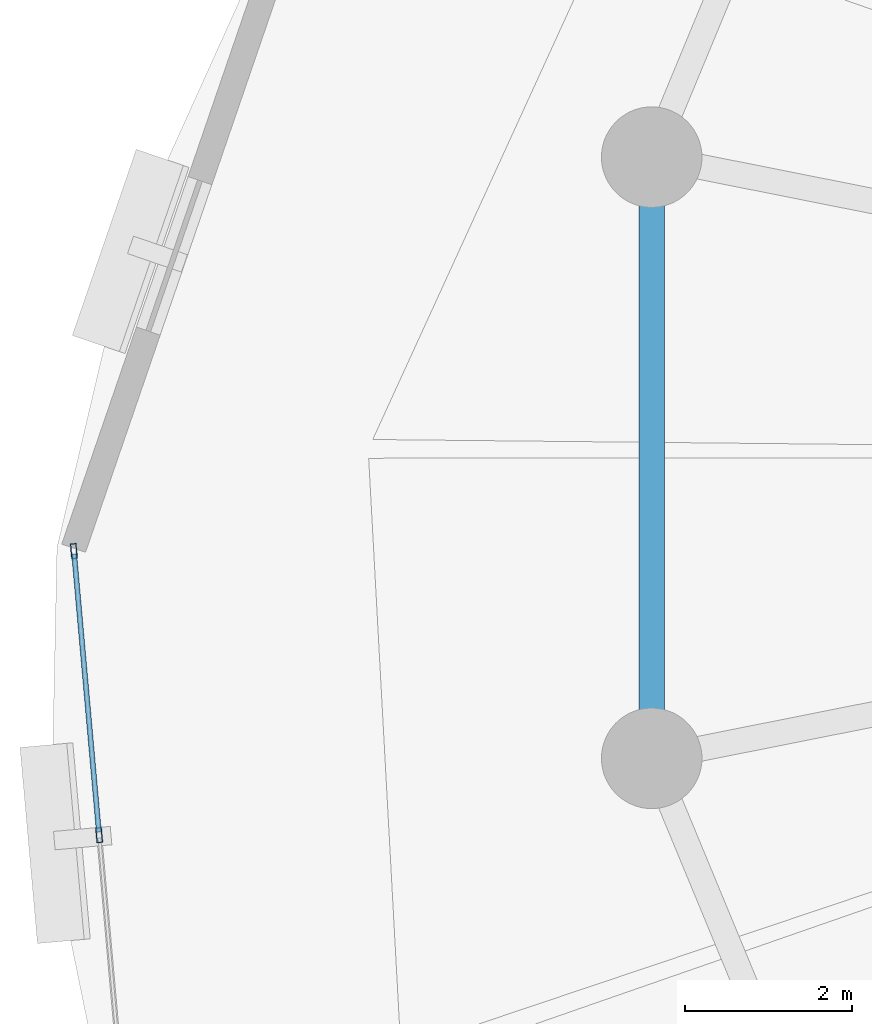
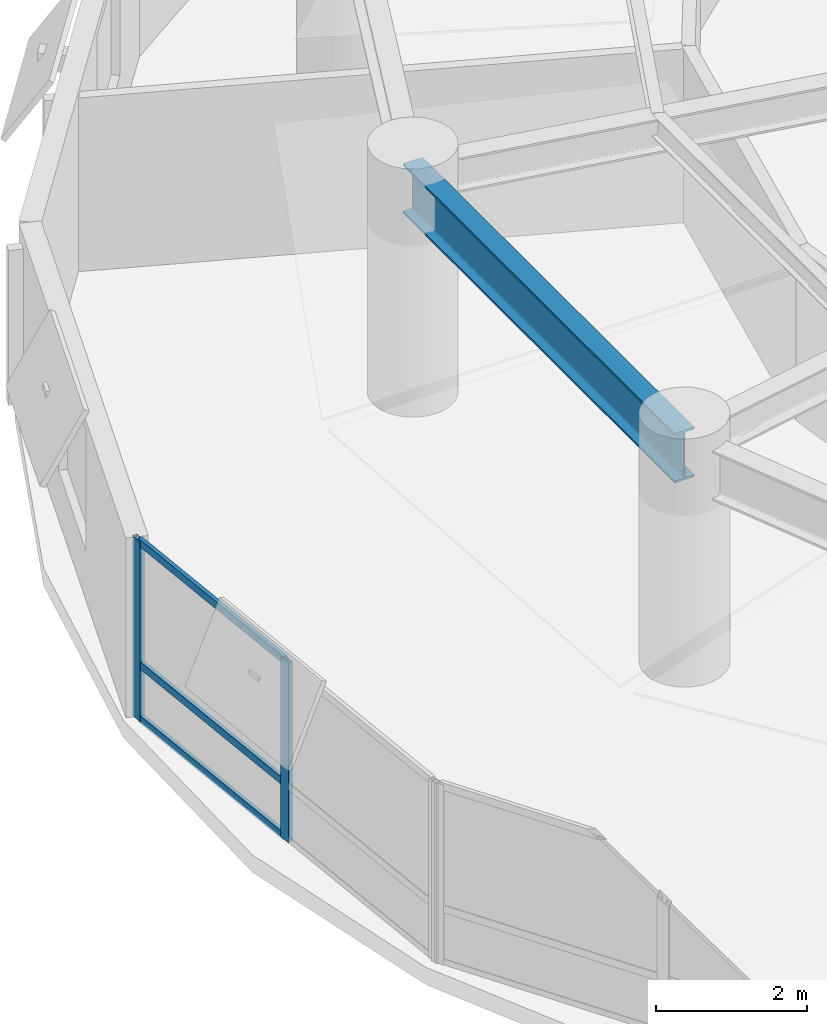
# One storey, part 4 of 15: 5 members, 1 beam, 1 element without a shape of its own.
"""IFC4 building model written with IfcOpenShell, lengths in metres."""

import ifcopenshell
import ifcopenshell.guid

model = None  # the IFC model being written
_history = None  # IfcOwnerHistory: only IFC2X3 demands one
_inside = {}  # id of a spatial element -> (the spatial element, [elements in it])
_under = {}  # id of a project, library or spatial element -> (it, [spatial elements below it])
_declared = {}  # id of a project -> (the project, [libraries it declares])
_typed = {}  # id of a type object -> (the type object, [elements of that type])
_made_of = {}  # id of a material, layer set ... -> (it, [elements and type objects made of it])


def new_model(schema):
    """Start an empty IFC model of exactly this schema.

    Asked for "IFC4X3", IfcOpenShell would pick the latest addendum, in which some entities
    have other attributes; the version numbers below select the first issue.
    IFC2X3 requires an IfcOwnerHistory on every rooted entity: one is made here for all.
    """
    global model, _history
    if schema == "IFC4X3":
        model = ifcopenshell.file(schema_version=(4, 3, 0, 0))
    else:
        model = ifcopenshell.file(schema=schema)
    _inside.clear()
    _under.clear()
    _declared.clear()
    _typed.clear()
    _made_of.clear()
    _history = None
    if model.schema == "IFC2X3":
        org = make("IfcOrganization", Name="unknown")
        user = make(
            "IfcPersonAndOrganization",
            ThePerson=make("IfcPerson", FamilyName="unknown"),
            TheOrganization=org,
        )
        app = make(
            "IfcApplication",
            ApplicationDeveloper=org,
            Version="unknown",
            ApplicationFullName="unknown",
            ApplicationIdentifier="unknown",
        )
        _history = make(
            "IfcOwnerHistory",
            OwningUser=user,
            OwningApplication=app,
            ChangeAction="ADDED",
            CreationDate=0,
        )
    return model


def make(cls, **values):
    """One entity of the class cls with the attributes given. An attribute that is None is left unset."""
    return model.create_entity(
        cls, **{name: value for name, value in values.items() if value is not None}
    )


def rooted(cls, **values):
    """An entity with a GlobalId (a new one), such as an element, a storey or a relation."""
    return make(cls, GlobalId=ifcopenshell.guid.new(), OwnerHistory=_history, **values)


def si_unit(unit_type, name, prefix=None):
    """IfcSIUnit, for example si_unit("LENGTHUNIT", "METRE", prefix="MILLI")."""
    return make("IfcSIUnit", UnitType=unit_type, Prefix=prefix, Name=name)


def assignment(units):
    """IfcUnitAssignment: the units of a project."""
    return None if units is None else make("IfcUnitAssignment", Units=units)


def point(xyz):
    """IfcCartesianPoint."""
    return None if xyz is None else make("IfcCartesianPoint", Coordinates=xyz)


def direction(xyz):
    """IfcDirection."""
    return None if xyz is None else make("IfcDirection", DirectionRatios=xyz)


def frame(location, z_axis=None, x_axis=None):
    """IfcAxis2Placement3D, a coordinate frame: its origin and axes. An axis left out is left unset."""
    return make(
        "IfcAxis2Placement3D",
        Location=point(location),
        Axis=direction(z_axis),
        RefDirection=direction(x_axis),
    )


def frame_2d(location, x_axis=None):
    """IfcAxis2Placement2D, a coordinate frame in the plane: its origin and x axis."""
    return make(
        "IfcAxis2Placement2D", Location=point(location), RefDirection=direction(x_axis)
    )


def origin():
    """The frame at (0, 0, 0) with its axes left unset."""
    return frame((0.0, 0.0, 0.0))


def origin_2d():
    """The frame at (0, 0) in the plane with its x axis left unset."""
    return frame_2d((0.0, 0.0))


def place(relative_to, where):
    """IfcLocalPlacement: puts the frame where relative to a parent placement (None: the world)."""
    return make(
        "IfcLocalPlacement", PlacementRelTo=relative_to, RelativePlacement=where
    )


def context(
    kind, dimensions, precision=None, world=None, true_north=None, identifier=None
):
    """IfcGeometricRepresentationContext, for example the 3D "Model" context."""
    return make(
        "IfcGeometricRepresentationContext",
        ContextIdentifier=identifier,
        ContextType=kind,
        CoordinateSpaceDimension=dimensions,
        Precision=precision,
        WorldCoordinateSystem=world,
        TrueNorth=true_north,
    )


def subcontext(parent, identifier, kind, view, scale=None):
    """IfcGeometricRepresentationSubContext, for example "Body" below "Model"."""
    return make(
        "IfcGeometricRepresentationSubContext",
        ContextIdentifier=identifier,
        ContextType=kind,
        ParentContext=parent,
        TargetScale=scale,
        TargetView=view,
    )


def project(units=None, contexts=None):
    """IfcProject with its units and contexts."""
    return rooted(
        "IfcProject",
        Name="project",
        RepresentationContexts=contexts,
        UnitsInContext=assignment(units),
    )


def spatial(cls, under=None, at=None, **own):
    """A site, building, storey or space (cls), placed at a placement, below another one or the project."""
    s = rooted(cls, ObjectPlacement=at, **own)
    if under is not None:
        _under.setdefault(under.id(), (under, []))[1].append(s)
    return s


def profile(cls, at=None, kind="AREA", **sizes):
    """A parametric profile (cls). Its sizes go by their IFC names, for example OverallWidth=200.0."""
    return make(cls, ProfileType=kind, Position=at, **sizes)


def hollow_rectangle(**sizes):
    """IfcRectangleHollowProfileDef."""
    return profile("IfcRectangleHollowProfileDef", **sizes)


def i_section(**sizes):
    """IfcIShapeProfileDef."""
    return profile("IfcIShapeProfileDef", **sizes)


def extrude(swept, where, along, depth):
    """IfcExtrudedAreaSolid: the profile swept, set in the frame where, extruded along a direction by depth."""
    return make(
        "IfcExtrudedAreaSolid",
        SweptArea=swept,
        Position=where,
        ExtrudedDirection=direction(along),
        Depth=depth,
    )


def shape(context_of_items, identifier, shape_type, items):
    """IfcShapeRepresentation: the items that make up one representation, for example the "Body"."""
    return make(
        "IfcShapeRepresentation",
        ContextOfItems=context_of_items,
        RepresentationIdentifier=identifier,
        RepresentationType=shape_type,
        Items=items,
    )


def material(Name=None, Category=None):
    """IfcMaterial."""
    return make("IfcMaterial", Name=Name, Category=Category)


def layer(
    of_material, thickness, ventilated=None, Name=None, Category=None, Priority=None
):
    """IfcMaterialLayer: one layer of a wall or slab, of a material (None: an air gap)."""
    return make(
        "IfcMaterialLayer",
        Material=of_material,
        LayerThickness=thickness,
        IsVentilated=ventilated,
        Name=Name,
        Category=Category,
        Priority=Priority,
    )


def layer_set(layers, Name=None):
    """IfcMaterialLayerSet."""
    return make("IfcMaterialLayerSet", MaterialLayers=layers, LayerSetName=Name)


def material_profile(
    of_material, cross_section, Name=None, Category=None, Priority=None
):
    """IfcMaterialProfile: a cross section and its material."""
    return make(
        "IfcMaterialProfile",
        Name=Name,
        Material=of_material,
        Profile=cross_section,
        Priority=Priority,
        Category=Category,
    )


def profile_set(profiles, Name=None, composite=None):
    """IfcMaterialProfileSet."""
    return make(
        "IfcMaterialProfileSet",
        Name=Name,
        MaterialProfiles=profiles,
        CompositeProfile=composite,
    )


def made_of(thing, what):
    """Note that an element or type object is made of a material, layer set ...; save() writes the relation."""
    if what is not None:
        _made_of.setdefault(what.id(), (what, []))[1].append(thing)
    return thing


def type_object(cls, material=None, **own):
    """A type object (cls), such as IfcWallType, which elements share."""
    return made_of(rooted(cls, **own), material)


def element(
    cls,
    number,
    at=None,
    inside=None,
    cuts=None,
    type_object=None,
    material=None,
    context=None,
    identifier="Body",
    shape_type=None,
    held_by="IfcProductDefinitionShape",
    body=None,
    shapes=None,
    **own,
):
    """One element of the class cls, such as IfcWall. Its Tag is "e" and its number.

    at: its placement. inside: the storey or other place that contains it. cuts: it is an
    opening in that element (IfcRelVoidsElement). A single representation is given by context,
    identifier, shape_type and body (its items); several are given by shapes. held_by: the class
    of the entity that holds the representations. save() writes the other relations.
    """
    e = rooted(cls, Tag="e%d" % number, ObjectPlacement=at, **own)
    if body is not None:
        shapes = [shape(context, identifier, shape_type, body)]
    if shapes is not None:
        e.Representation = make(held_by, Representations=shapes)
    if inside is not None:
        _inside.setdefault(inside.id(), (inside, []))[1].append(e)
    if cuts is not None:
        rooted(
            "IfcRelVoidsElement", RelatingBuildingElement=cuts, RelatedOpeningElement=e
        )
    if type_object is not None:
        _typed.setdefault(type_object.id(), (type_object, []))[1].append(e)
    return made_of(e, material)


def aggregate(whole, parts):
    """IfcRelAggregates: a whole, such as a stair, and the parts it consists of."""
    return rooted("IfcRelAggregates", RelatingObject=whole, RelatedObjects=parts)


def save(model, path):
    """Write the relations noted so far, then the file.

    IfcRelAggregates (storeys below a building ...), IfcRelContainedInSpatialStructure (elements
    in a storey), IfcRelDefinesByType, IfcRelAssociatesMaterial and IfcRelDeclares: one each for
    every whole, place, type object, material and project.
    """
    for whole, parts in _under.values():
        aggregate(whole, parts)
    for where, things in _inside.values():
        rooted(
            "IfcRelContainedInSpatialStructure",
            RelatedElements=things,
            RelatingStructure=where,
        )
    for kind, things in _typed.values():
        rooted("IfcRelDefinesByType", RelatedObjects=things, RelatingType=kind)
    for what, things in _made_of.values():
        rooted("IfcRelAssociatesMaterial", RelatedObjects=things, RelatingMaterial=what)
    for by, libraries in _declared.values():
        rooted("IfcRelDeclares", RelatingContext=by, RelatedDefinitions=libraries)
    model.write(path)


model = new_model("IFC4")

# Units and contexts
model_context = context("Model", 3, precision=1e-05, world=origin(), true_north=direction((0.0, 1.0)))
body_context = subcontext(model_context, "Body", "Model", "MODEL_VIEW")
ifc_project = project(units=[si_unit("LENGTHUNIT", "METRE"), si_unit("AREAUNIT", "SQUARE_METRE"), si_unit("VOLUMEUNIT", "CUBIC_METRE"), si_unit("PLANEANGLEUNIT", "RADIAN"), si_unit("MASSUNIT", "GRAM", prefix="KILO"), si_unit("THERMODYNAMICTEMPERATUREUNIT", "KELVIN"), si_unit("POWERUNIT", "WATT")], contexts=[model_context])

# Site, building, storey
site_placement = place(None, origin())
site = spatial("IfcSite", under=ifc_project, at=site_placement, CompositionType="ELEMENT")
building_placement = place(site_placement, origin())
building = spatial("IfcBuilding", under=site, at=building_placement, Name="Ocrelia Relay Tower", CompositionType="ELEMENT")
storey_placement = place(building_placement, frame((0.0, 0.0, 109.800048828125)))
storey = spatial("IfcBuildingStorey", under=building, at=storey_placement, Name="L25", CompositionType="ELEMENT", Elevation=109.800048828125)

# Beam
ifc_material_1 = material(Name="Steel S355", Category="steel")
ifc_material_profile_1 = material_profile(ifc_material_1, i_section(OverallWidth=0.300048828125, OverallDepth=0.800048828125, WebThickness=0.017578125, FlangeThickness=0.032958984375, FilletRadius=0.030029296875, at=origin_2d()), Name="HEB 800")
ifc_profile_set_1 = profile_set([ifc_material_profile_1], Name="Steel S355")
beam_type = type_object("IfcBeamType", Name="BM-HEB800", PredefinedType="BEAM", material=ifc_profile_set_1)
beam_placement = place(storey_placement, frame((15.95361328125, 29.589599609375, 3.320068359375), z_axis=(0.0, -1.0, 0.0), x_axis=(1.0, 0.0, 0.0)))
element("IfcBeam", 1, at=beam_placement, inside=storey, type_object=beam_type, Name="L25 Perimeter Spandrel Beam S08", PredefinedType="BEAM", context=body_context, shape_type="SweptSolid", body=[
    extrude(i_section(OverallWidth=0.300048828125, OverallDepth=0.800048828125, WebThickness=0.017578125, FlangeThickness=0.032958984375, FilletRadius=0.030029296875, at=origin_2d()), origin(), (0.0, 0.0, 1.0), 7.17919921875),
])

# Curtain wall, members
ifc_material_2 = material(Name="Aluminium and solar-control low-E glass", Category="aluminium")
ifc_layer = layer(ifc_material_2, 0.179931640625, Name="Aluminium and solar-control low-E glass")
ifc_layer_set = layer_set([ifc_layer], Name="Aluminium and solar-control low-E glass")
curtain_wall_type = type_object("IfcCurtainWallType", Name="CW-SYS-Z2-SWIT", PredefinedType="NOTDEFINED", material=ifc_layer_set)
curtain_wall_placement = place(storey_placement, origin())
curtain_wall = element("IfcCurtainWall", 2, at=curtain_wall_placement, inside=storey, type_object=curtain_wall_type, Name="L25 Elliptical Tower Curtain Wall Bay 09", PredefinedType="NOTDEFINED")
ifc_material_3 = material(Name="Anodised bronze aluminium", Category="aluminium")
ifc_material_profile_2 = material_profile(ifc_material_3, hollow_rectangle(XDim=0.070068359375, YDim=0.179931640625, WallThickness=0.006103515625, at=origin_2d()), Name="CW-MUL-180x70")
ifc_profile_set_2 = profile_set([ifc_material_profile_2], Name="Anodised bronze aluminium")
member_type_1 = type_object("IfcMemberType", Name="CW-SYS-Z2-SWIT-MUL", PredefinedType="MULLION", material=ifc_profile_set_2)
member_1_placement = place(storey_placement, frame((9.0537109375, 24.88525390625, 0.0), z_axis=(0.0, 0.0, 1.0), x_axis=(0.996071045123, 0.088557738612, 0.0)))
member_1 = element("IfcMember", 3, at=member_1_placement, type_object=member_type_1, Name="CW-Z2 mullion 1", PredefinedType="MULLION", context=body_context, shape_type="SweptSolid", body=[
    extrude(hollow_rectangle(XDim=0.070068359375, YDim=0.179931640625, WallThickness=0.006103515625, at=origin_2d()), origin(), (0.0, 0.0, 1.0), 2.89990234375),
])
member_2_placement = place(storey_placement, frame((9.355224609375, 21.493896484375, 0.0), z_axis=(0.0, 0.0, 1.0), x_axis=(0.996071045123, 0.088557738612, 0.0)))
member_2 = element("IfcMember", 4, at=member_2_placement, type_object=member_type_1, Name="CW-Z2 mullion 2", PredefinedType="MULLION", context=body_context, shape_type="SweptSolid", body=[
    extrude(hollow_rectangle(XDim=0.070068359375, YDim=0.179931640625, WallThickness=0.006103515625, at=origin_2d()), origin(), (0.0, 0.0, 1.0), 2.89990234375),
])
ifc_material_profile_3 = material_profile(ifc_material_3, hollow_rectangle(XDim=0.06005859375, YDim=0.1201171875, WallThickness=0.0048828125, at=origin_2d()), Name="CW-TRN-120x60")
ifc_profile_set_3 = profile_set([ifc_material_profile_3], Name="Anodised bronze aluminium")
member_type_2 = type_object("IfcMemberType", Name="CW-SYS-Z2-SWIT-TRN", PredefinedType="USERDEFINED", material=ifc_profile_set_3)
member_3_placement = place(storey_placement, frame((9.056884765625, 24.850341796875, 0.030029296875), z_axis=(0.088588216486, -0.996068334955, 0.0), x_axis=(0.996068334955, 0.088588216486, 0.0)))
member_3 = element("IfcMember", 5, at=member_3_placement, type_object=member_type_2, Name="CW-Z2 transom 1.1", ObjectType="TRANSOM", PredefinedType="USERDEFINED", context=body_context, shape_type="SweptSolid", body=[
    extrude(hollow_rectangle(XDim=0.06005859375, YDim=0.1201171875, WallThickness=0.0048828125, at=origin_2d()), origin(), (0.0, 0.0, 1.0), 3.334716796875),
])
member_4_placement = place(storey_placement, frame((9.056884765625, 24.850341796875, 0.89990234375), z_axis=(0.088588216486, -0.996068334955, 0.0), x_axis=(0.996068334955, 0.088588216486, 0.0)))
member_4 = element("IfcMember", 6, at=member_4_placement, type_object=member_type_2, Name="CW-Z2 transom 1.2", ObjectType="TRANSOM", PredefinedType="USERDEFINED", context=body_context, shape_type="SweptSolid", body=[
    extrude(hollow_rectangle(XDim=0.06005859375, YDim=0.1201171875, WallThickness=0.0048828125, at=origin_2d()), origin(), (0.0, 0.0, 1.0), 3.334716796875),
])
member_5_placement = place(storey_placement, frame((9.056884765625, 24.850341796875, 2.869873046875), z_axis=(0.088588216486, -0.996068334955, 0.0), x_axis=(0.996068334955, 0.088588216486, 0.0)))
member_5 = element("IfcMember", 7, at=member_5_placement, type_object=member_type_2, Name="CW-Z2 transom 1.3", ObjectType="TRANSOM", PredefinedType="USERDEFINED", context=body_context, shape_type="SweptSolid", body=[
    extrude(hollow_rectangle(XDim=0.06005859375, YDim=0.1201171875, WallThickness=0.0048828125, at=origin_2d()), origin(), (0.0, 0.0, 1.0), 3.334716796875),
])
aggregate(curtain_wall, [member_1, member_2, member_3, member_4, member_5])

save(model, "model.ifc")
